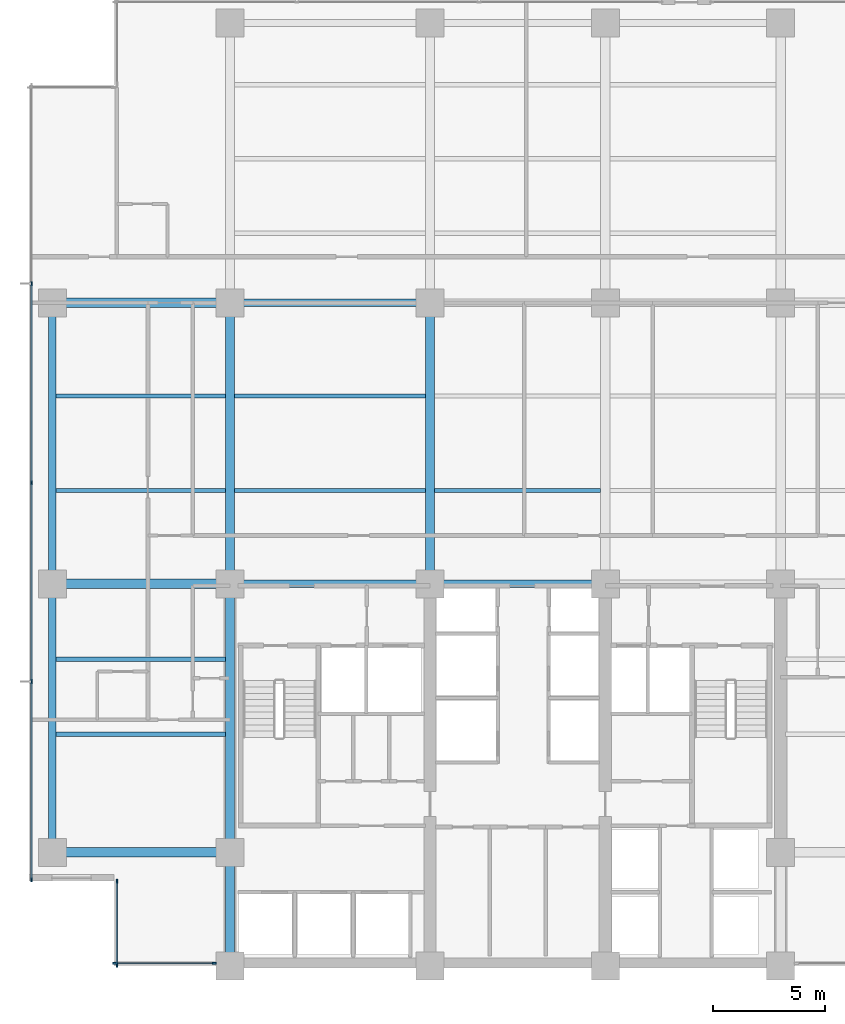
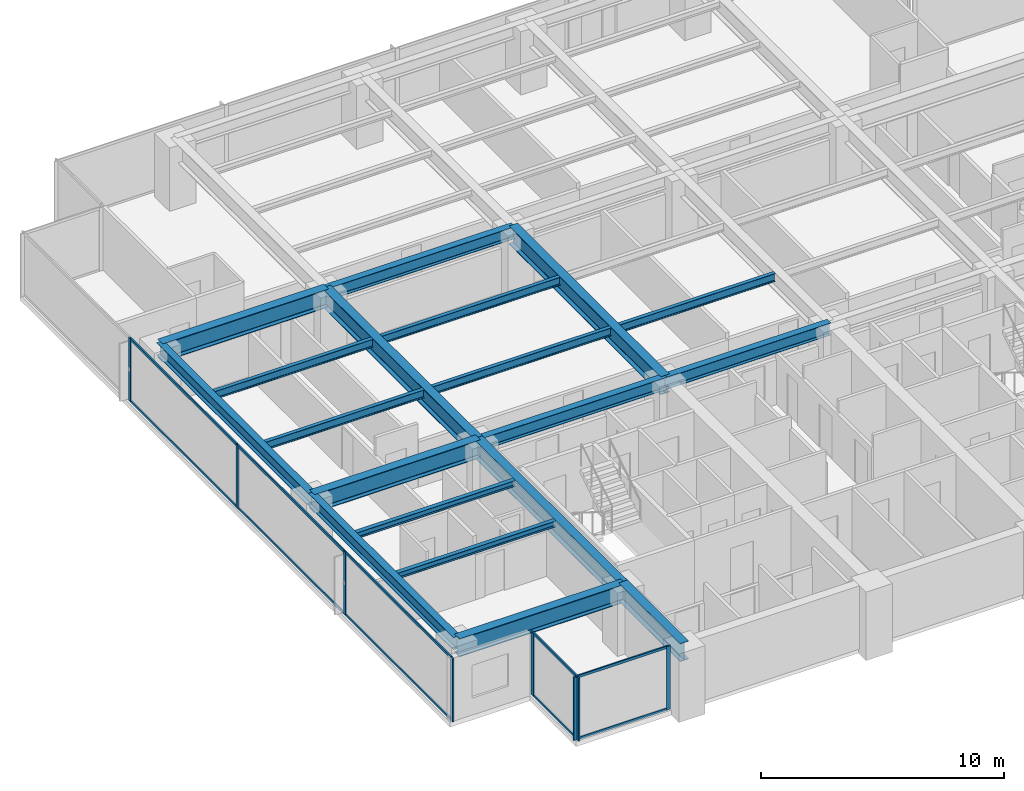
# One storey, part 2 of 16: 19 beams, 18 members, 3 elements without a shape of their own.
"""IFC4 building model written with IfcOpenShell, lengths in metres."""

from ifc_helpers import new_model, si_unit, direction, frame, origin, origin_2d, place, context, subcontext, project, spatial, rectangle, i_section, extrude, material, layer, layer_set, material_profile, profile_set, type_object, element, aggregate, save


model = new_model("IFC4")

# Units and contexts
model_context = context("Model", 3, precision=1e-05, world=origin(), true_north=direction((0.0, 1.0)))
body_context = subcontext(model_context, "Body", "Model", "MODEL_VIEW")
ifc_project = project(units=[si_unit("LENGTHUNIT", "METRE"), si_unit("AREAUNIT", "SQUARE_METRE"), si_unit("VOLUMEUNIT", "CUBIC_METRE"), si_unit("PLANEANGLEUNIT", "RADIAN"), si_unit("MASSUNIT", "GRAM", prefix="KILO")], contexts=[model_context])

# Site, building, storey
site_placement = place(None, origin())
site = spatial("IfcSite", under=ifc_project, at=site_placement, CompositionType="ELEMENT")
building_placement = place(site_placement, origin())
building = spatial("IfcBuilding", under=site, at=building_placement, Name="Qalmaran Belvedere Hotel", CompositionType="ELEMENT")
storey_placement = place(building_placement, frame((0.0, 0.0, 126.699951171875)))
storey = spatial("IfcBuildingStorey", under=building, at=storey_placement, Name="L32", CompositionType="ELEMENT", Elevation=126.699951171875)

# Beams
ifc_material_1 = material(Name="Steel S355JR", Category="steel")
ifc_material_profile_1 = material_profile(ifc_material_1, i_section(OverallWidth=0.202880859375, OverallDepth=0.302978515625, WebThickness=0.007568359375, FlangeThickness=0.01318359375, FilletRadius=0.012939453125, at=origin_2d()), Name="W310X60")
ifc_profile_set_1 = profile_set([ifc_material_profile_1], Name="Steel S355JR")
beam_type_1 = type_object("IfcBeamType", Name="BM-JST-W310X60", PredefinedType="JOIST", material=ifc_profile_set_1)
for number, where, z_axis, x_axis, name in (
    (1, (12.5615234375, 13.800048828125, 3.028564453125), (1.0, 0.0, 0.0), (0.0, 1.0, 0.0), "L32 West Wing Joist 038"),
    (2, (12.5615234375, 17.14990234375, 3.028564453125), (1.0, 0.0, 0.0), (0.0, 1.0, 0.0), "L32 West Wing Joist 040"),
):
    element("IfcBeam", number, at=place(storey_placement, frame(where, z_axis=z_axis, x_axis=x_axis)), inside=storey, type_object=beam_type_1, Name=name, PredefinedType="JOIST", context=body_context, shape_type="SweptSolid", body=[
        extrude(i_section(OverallWidth=0.202880859375, OverallDepth=0.302978515625, WebThickness=0.007568359375, FlangeThickness=0.01318359375, FilletRadius=0.012939453125, at=origin_2d()), origin(), (0.0, 0.0, 1.0), 7.531494140625),
    ])
ifc_material_profile_2 = material_profile(ifc_material_1, i_section(OverallWidth=0.41796875, OverallDepth=0.912109375, WebThickness=0.019287109375, FlangeThickness=0.031982421875, FilletRadius=0.02392578125, at=origin_2d()), Name="W920X342")
ifc_profile_set_2 = profile_set([ifc_material_profile_2], Name="Steel S355JR")
beam_type_2 = type_object("IfcBeamType", Name="BM-PG2-W920X342", PredefinedType="USERDEFINED", material=ifc_profile_set_2)
for number, where, z_axis, x_axis, name in (
    (3, (20.300048828125, 20.5, 2.72412109375), (0.0, 1.0, 0.0), (-1.0, 0.0, 0.0), "L32 Mid-Plate N-S Girder 14"),
    (4, (29.199951171875, 20.5, 2.72412109375), (0.0, 1.0, 0.0), (-1.0, 0.0, 0.0), "L32 Mid-Plate N-S Girder 16"),
):
    element("IfcBeam", number, at=place(storey_placement, frame(where, z_axis=z_axis, x_axis=x_axis)), inside=storey, type_object=beam_type_2, Name=name, ObjectType="GIRDER", PredefinedType="USERDEFINED", context=body_context, shape_type="SweptSolid", body=[
        extrude(i_section(OverallWidth=0.41796875, OverallDepth=0.912109375, WebThickness=0.019287109375, FlangeThickness=0.031982421875, FilletRadius=0.02392578125, at=origin_2d()), origin(), (0.0, 0.0, 1.0), 12.5),
    ])
for number, where, z_axis, x_axis, name in (
    (5, (12.39990234375, 8.550048828125, 2.72412109375), (1.0, 0.0, 0.0), (0.0, 1.0, 0.0), "L32 West Wing Girder 22"),
    (6, (12.39990234375, 20.5, 2.72412109375), (1.0, 0.0, 0.0), (0.0, 1.0, 0.0), "L32 West Wing Girder 23"),
    (7, (12.39990234375, 33.0, 2.72412109375), (1.0, 0.0, 0.0), (0.0, 1.0, 0.0), "L32 West Wing Girder 24"),
):
    element("IfcBeam", number, at=place(storey_placement, frame(where, z_axis=z_axis, x_axis=x_axis)), inside=storey, type_object=beam_type_2, Name=name, ObjectType="GIRDER", PredefinedType="USERDEFINED", context=body_context, shape_type="SweptSolid", body=[
        extrude(i_section(OverallWidth=0.41796875, OverallDepth=0.912109375, WebThickness=0.019287109375, FlangeThickness=0.031982421875, FilletRadius=0.02392578125, at=origin_2d()), origin(), (0.0, 0.0, 1.0), 7.900146484375),
    ])
beam_1_placement = place(storey_placement, frame((20.300048828125, 3.5, 2.72412109375), z_axis=(0.0, 1.0, 0.0), x_axis=(-1.0, 0.0, 0.0)))
element("IfcBeam", 8, at=beam_1_placement, inside=storey, type_object=beam_type_2, Name="L32 West Core Edge Girder A", ObjectType="GIRDER", PredefinedType="USERDEFINED", context=body_context, shape_type="SweptSolid", body=[
    extrude(i_section(OverallWidth=0.41796875, OverallDepth=0.912109375, WebThickness=0.019287109375, FlangeThickness=0.031982421875, FilletRadius=0.02392578125, at=origin_2d()), origin(), (0.0, 0.0, 1.0), 5.050048828125),
])
beam_2_placement = place(storey_placement, frame((20.300048828125, 8.550048828125, 2.72412109375), z_axis=(0.0, 1.0, 0.0), x_axis=(-1.0, 0.0, 0.0)))
element("IfcBeam", 9, at=beam_2_placement, inside=storey, type_object=beam_type_2, Name="L32 West Core Edge Girder B", ObjectType="GIRDER", PredefinedType="USERDEFINED", context=body_context, shape_type="SweptSolid", body=[
    extrude(i_section(OverallWidth=0.41796875, OverallDepth=0.912109375, WebThickness=0.019287109375, FlangeThickness=0.031982421875, FilletRadius=0.02392578125, at=origin_2d()), origin(), (0.0, 0.0, 1.0), 11.949951171875),
])
ifc_material_profile_3 = material_profile(ifc_material_1, i_section(OverallWidth=0.177978515625, OverallDepth=0.406982421875, WebThickness=0.0078125, FlangeThickness=0.0126953125, FilletRadius=0.014892578125, at=origin_2d()), Name="W410X60")
ifc_profile_set_3 = profile_set([ifc_material_profile_3], Name="Steel S355JR")
beam_type_3 = type_object("IfcBeamType", Name="BM-SB2-W410X60", PredefinedType="BEAM", material=ifc_profile_set_3)
beam_3_placement = place(storey_placement, frame((12.5615234375, 24.64990234375, 2.9765625), z_axis=(1.0, 0.0, 0.0), x_axis=(0.0, 1.0, 0.0)))
element("IfcBeam", 10, at=beam_3_placement, inside=storey, type_object=beam_type_3, Name="L32 West Secondary Beam 028", PredefinedType="BEAM", context=body_context, shape_type="SweptSolid", body=[
    extrude(i_section(OverallWidth=0.177978515625, OverallDepth=0.406982421875, WebThickness=0.0078125, FlangeThickness=0.0126953125, FilletRadius=0.014892578125, at=origin_2d()), origin(), (0.0, 0.0, 1.0), 7.531494140625),
])
beam_4_placement = place(storey_placement, frame((20.507080078125, 24.64990234375, 2.9765625), z_axis=(1.0, 0.0, 0.0), x_axis=(0.0, 1.0, 0.0)))
element("IfcBeam", 11, at=beam_4_placement, inside=storey, type_object=beam_type_3, Name="L32 Secondary Floor Beam 029", PredefinedType="BEAM", context=body_context, shape_type="SweptSolid", body=[
    extrude(i_section(OverallWidth=0.177978515625, OverallDepth=0.406982421875, WebThickness=0.0078125, FlangeThickness=0.0126953125, FilletRadius=0.014892578125, at=origin_2d()), origin(), (0.0, 0.0, 1.0), 8.48583984375),
])
beam_5_placement = place(storey_placement, frame((29.406982421875, 24.64990234375, 2.9765625), z_axis=(1.0, 0.0, 0.0), x_axis=(0.0, 1.0, 0.0)))
element("IfcBeam", 12, at=beam_5_placement, inside=storey, type_object=beam_type_3, Name="L32 Secondary Floor Beam 030", PredefinedType="BEAM", context=body_context, shape_type="SweptSolid", body=[
    extrude(i_section(OverallWidth=0.177978515625, OverallDepth=0.406982421875, WebThickness=0.0078125, FlangeThickness=0.0126953125, FilletRadius=0.014892578125, at=origin_2d()), origin(), (0.0, 0.0, 1.0), 7.385986328125),
])
beam_6_placement = place(storey_placement, frame((12.5615234375, 28.85009765625, 2.9765625), z_axis=(1.0, 0.0, 0.0), x_axis=(0.0, 1.0, 0.0)))
element("IfcBeam", 13, at=beam_6_placement, inside=storey, type_object=beam_type_3, Name="L32 West Secondary Beam 033", PredefinedType="BEAM", context=body_context, shape_type="SweptSolid", body=[
    extrude(i_section(OverallWidth=0.177978515625, OverallDepth=0.406982421875, WebThickness=0.0078125, FlangeThickness=0.0126953125, FilletRadius=0.014892578125, at=origin_2d()), origin(), (0.0, 0.0, 1.0), 7.531494140625),
])
beam_7_placement = place(storey_placement, frame((20.507080078125, 28.85009765625, 2.9765625), z_axis=(1.0, 0.0, 0.0), x_axis=(0.0, 1.0, 0.0)))
element("IfcBeam", 14, at=beam_7_placement, inside=storey, type_object=beam_type_3, Name="L32 Secondary Floor Beam 034", PredefinedType="BEAM", context=body_context, shape_type="SweptSolid", body=[
    extrude(i_section(OverallWidth=0.177978515625, OverallDepth=0.406982421875, WebThickness=0.0078125, FlangeThickness=0.0126953125, FilletRadius=0.014892578125, at=origin_2d()), origin(), (0.0, 0.0, 1.0), 8.48583984375),
])
ifc_material_profile_4 = material_profile(ifc_material_1, i_section(OverallWidth=0.326904296875, OverallDepth=0.6220703125, WebThickness=0.015380859375, FlangeThickness=0.0244140625, FilletRadius=0.02001953125, at=origin_2d()), Name="W610X195")
ifc_profile_set_4 = profile_set([ifc_material_profile_4], Name="Steel S355JR")
beam_type_4 = type_object("IfcBeamType", Name="BM-SP1-W610X195", PredefinedType="SPANDREL", material=ifc_profile_set_4)
beam_8_placement = place(storey_placement, frame((12.39990234375, 8.550048828125, 2.869140625), z_axis=(0.0, 1.0, 0.0), x_axis=(-1.0, 0.0, 0.0)))
element("IfcBeam", 15, at=beam_8_placement, inside=storey, type_object=beam_type_4, Name="L32 Perimeter Spandrel 01", PredefinedType="SPANDREL", context=body_context, shape_type="SweptSolid", body=[
    extrude(i_section(OverallWidth=0.326904296875, OverallDepth=0.6220703125, WebThickness=0.015380859375, FlangeThickness=0.0244140625, FilletRadius=0.02001953125, at=origin_2d()), origin(), (0.0, 0.0, 1.0), 11.949951171875),
])
beam_9_placement = place(storey_placement, frame((12.39990234375, 20.5, 2.869140625), z_axis=(0.0, 1.0, 0.0), x_axis=(-1.0, 0.0, 0.0)))
element("IfcBeam", 16, at=beam_9_placement, inside=storey, type_object=beam_type_4, Name="L32 Perimeter Spandrel 02", PredefinedType="SPANDREL", context=body_context, shape_type="SweptSolid", body=[
    extrude(i_section(OverallWidth=0.326904296875, OverallDepth=0.6220703125, WebThickness=0.015380859375, FlangeThickness=0.0244140625, FilletRadius=0.02001953125, at=origin_2d()), origin(), (0.0, 0.0, 1.0), 12.5),
])
ifc_material_profile_5 = material_profile(ifc_material_1, i_section(OverallWidth=0.323974609375, OverallDepth=0.611083984375, WebThickness=0.0126953125, FlangeThickness=0.01904296875, FilletRadius=0.02001953125, at=origin_2d()), Name="W610X155")
ifc_profile_set_5 = profile_set([ifc_material_profile_5], Name="Steel S355JR")
beam_type_5 = type_object("IfcBeamType", Name="BM-Z2-W610X155", PredefinedType="USERDEFINED", material=ifc_profile_set_5)
beam_10_placement = place(storey_placement, frame((20.300048828125, 20.5, 2.87451171875), z_axis=(1.0, 0.0, 0.0), x_axis=(0.0, 1.0, 0.0)))
element("IfcBeam", 17, at=beam_10_placement, inside=storey, type_object=beam_type_5, Name="L32 Interior E-W Girder 08", ObjectType="GIRDER", PredefinedType="USERDEFINED", context=body_context, shape_type="SweptSolid", body=[
    extrude(i_section(OverallWidth=0.323974609375, OverallDepth=0.611083984375, WebThickness=0.0126953125, FlangeThickness=0.01904296875, FilletRadius=0.02001953125, at=origin_2d()), origin(), (0.0, 0.0, 1.0), 8.89990234375),
])
beam_11_placement = place(storey_placement, frame((29.199951171875, 20.5, 2.87451171875), z_axis=(1.0, 0.0, 0.0), x_axis=(0.0, 1.0, 0.0)))
element("IfcBeam", 18, at=beam_11_placement, inside=storey, type_object=beam_type_5, Name="L32 Interior E-W Girder 09", ObjectType="GIRDER", PredefinedType="USERDEFINED", context=body_context, shape_type="SweptSolid", body=[
    extrude(i_section(OverallWidth=0.323974609375, OverallDepth=0.611083984375, WebThickness=0.0126953125, FlangeThickness=0.01904296875, FilletRadius=0.02001953125, at=origin_2d()), origin(), (0.0, 0.0, 1.0), 7.800048828125),
])
beam_12_placement = place(storey_placement, frame((20.300048828125, 33.0, 2.87451171875), z_axis=(1.0, 0.0, 0.0), x_axis=(0.0, 1.0, 0.0)))
element("IfcBeam", 19, at=beam_12_placement, inside=storey, type_object=beam_type_5, Name="L32 Interior E-W Girder 11", ObjectType="GIRDER", PredefinedType="USERDEFINED", context=body_context, shape_type="SweptSolid", body=[
    extrude(i_section(OverallWidth=0.323974609375, OverallDepth=0.611083984375, WebThickness=0.0126953125, FlangeThickness=0.01904296875, FilletRadius=0.02001953125, at=origin_2d()), origin(), (0.0, 0.0, 1.0), 8.89990234375),
])

# Curtain wall, members
ifc_material_2 = material(Name="Anodised Bronze Aluminium", Category="aluminium")
ifc_layer = layer(ifc_material_2, 0.199951171875, Name="Anodised Bronze Aluminium")
ifc_layer_set = layer_set([ifc_layer], Name="Anodised Bronze Aluminium")
curtain_wall_type = type_object("IfcCurtainWallType", Name="CW3-TOWER-LOWMID", PredefinedType="NOTDEFINED", material=ifc_layer_set)
curtain_wall_1_placement = place(storey_placement, origin())
curtain_wall_1 = element("IfcCurtainWall", 20, at=curtain_wall_1_placement, inside=storey, type_object=curtain_wall_type, Name="L32 Curtain Wall CW3", PredefinedType="NOTDEFINED")
ifc_material_profile_6 = material_profile(ifc_material_2, rectangle(XDim=0.070068359375, YDim=0.18994140625, at=origin_2d()), Name="CWM70X190")
ifc_profile_set_6 = profile_set([ifc_material_profile_6], Name="Anodised Bronze Aluminium")
member_type_1 = type_object("IfcMemberType", Name="CWM-70X190", PredefinedType="MULLION", material=ifc_profile_set_6)
member_1_placement = place(storey_placement, frame((15.18505859375, 3.6201171875, 0.0), z_axis=(0.0, 0.0, 1.0), x_axis=(0.0, 1.0, 0.0)))
member_1 = element("IfcMember", 21, at=member_1_placement, type_object=member_type_1, Name="CW3 mullion 1", PredefinedType="MULLION", context=body_context, shape_type="SweptSolid", body=[
    extrude(rectangle(XDim=0.070068359375, YDim=0.18994140625, at=origin_2d()), origin(), (0.0, 0.0, 1.0), 3.179931640625),
])
member_2_placement = place(storey_placement, frame((19.60009765625, 3.6201171875, 0.0), z_axis=(0.0, 0.0, 1.0), x_axis=(0.0, 1.0, 0.0)))
member_2 = element("IfcMember", 22, at=member_2_placement, type_object=member_type_1, Name="CW3 mullion 2", PredefinedType="MULLION", context=body_context, shape_type="SweptSolid", body=[
    extrude(rectangle(XDim=0.070068359375, YDim=0.18994140625, at=origin_2d()), origin(), (0.0, 0.0, 1.0), 3.179931640625),
])

curtain_wall_2_placement = place(storey_placement, origin())
curtain_wall_2 = element("IfcCurtainWall", 23, at=curtain_wall_2_placement, inside=storey, type_object=curtain_wall_type, Name="L32 Curtain Wall CW3", PredefinedType="NOTDEFINED")
member_3_placement = place(storey_placement, frame((11.469970703125, 33.85009765625, 0.0), z_axis=(0.0, 0.0, 1.0), x_axis=(1.0, 0.0, 0.0)))
member_3 = element("IfcMember", 24, at=member_3_placement, type_object=member_type_1, Name="CW3 mullion 2", PredefinedType="MULLION", context=body_context, shape_type="SweptSolid", body=[
    extrude(rectangle(XDim=0.070068359375, YDim=0.18994140625, at=origin_2d()), origin(), (0.0, 0.0, 1.0), 3.179931640625),
])
member_4_placement = place(storey_placement, frame((11.469970703125, 25.0, 0.0), z_axis=(0.0, 0.0, 1.0), x_axis=(1.0, 0.0, 0.0)))
member_4 = element("IfcMember", 25, at=member_4_placement, type_object=member_type_1, Name="CW3 mullion 3", PredefinedType="MULLION", context=body_context, shape_type="SweptSolid", body=[
    extrude(rectangle(XDim=0.070068359375, YDim=0.18994140625, at=origin_2d()), origin(), (0.0, 0.0, 1.0), 3.179931640625),
])
member_5_placement = place(storey_placement, frame((11.469970703125, 16.14990234375, 0.0), z_axis=(0.0, 0.0, 1.0), x_axis=(1.0, 0.0, 0.0)))
member_5 = element("IfcMember", 26, at=member_5_placement, type_object=member_type_1, Name="CW3 mullion 4", PredefinedType="MULLION", context=body_context, shape_type="SweptSolid", body=[
    extrude(rectangle(XDim=0.070068359375, YDim=0.18994140625, at=origin_2d()), origin(), (0.0, 0.0, 1.0), 3.179931640625),
])
member_6_placement = place(storey_placement, frame((11.469970703125, 7.3349609375, 0.0), z_axis=(0.0, 0.0, 1.0), x_axis=(1.0, 0.0, 0.0)))
member_6 = element("IfcMember", 27, at=member_6_placement, type_object=member_type_1, Name="CW3 mullion 5", PredefinedType="MULLION", context=body_context, shape_type="SweptSolid", body=[
    extrude(rectangle(XDim=0.070068359375, YDim=0.18994140625, at=origin_2d()), origin(), (0.0, 0.0, 1.0), 3.179931640625),
])

curtain_wall_3_placement = place(storey_placement, origin())
curtain_wall_3 = element("IfcCurtainWall", 28, at=curtain_wall_3_placement, inside=storey, type_object=curtain_wall_type, Name="L32 Curtain Wall CW3", PredefinedType="NOTDEFINED")
member_7_placement = place(storey_placement, frame((15.27001953125, 7.264892578125, 0.0), z_axis=(0.0, 0.0, 1.0), x_axis=(1.0, 0.0, 0.0)))
member_7 = element("IfcMember", 29, at=member_7_placement, type_object=member_type_1, Name="CW3 mullion 1", PredefinedType="MULLION", context=body_context, shape_type="SweptSolid", body=[
    extrude(rectangle(XDim=0.070068359375, YDim=0.18994140625, at=origin_2d()), origin(), (0.0, 0.0, 1.0), 3.179931640625),
])
member_8_placement = place(storey_placement, frame((15.27001953125, 3.534912109375, 0.0), z_axis=(0.0, 0.0, 1.0), x_axis=(1.0, 0.0, 0.0)))
member_8 = element("IfcMember", 30, at=member_8_placement, type_object=member_type_1, Name="CW3 mullion 2", PredefinedType="MULLION", context=body_context, shape_type="SweptSolid", body=[
    extrude(rectangle(XDim=0.070068359375, YDim=0.18994140625, at=origin_2d()), origin(), (0.0, 0.0, 1.0), 3.179931640625),
])

# Member
ifc_material_profile_7 = material_profile(ifc_material_2, rectangle(XDim=0.06494140625, YDim=0.1298828125, at=origin_2d()), Name="CWT65X130")
ifc_profile_set_7 = profile_set([ifc_material_profile_7], Name="Anodised Bronze Aluminium")
member_type_2 = type_object("IfcMemberType", Name="CWT-65X130", PredefinedType="USERDEFINED", material=ifc_profile_set_7)
member_9_placement = place(storey_placement, frame((15.219970703125, 3.6201171875, 0.032470703125), z_axis=(1.0, 0.0, 0.0), x_axis=(0.0, 1.0, 0.0)))
member_9 = element("IfcMember", 31, at=member_9_placement, type_object=member_type_2, Name="CW3 transom 1.1", ObjectType="TRANSOM", PredefinedType="USERDEFINED", context=body_context, shape_type="SweptSolid", body=[
    extrude(rectangle(XDim=0.06494140625, YDim=0.1298828125, at=origin_2d()), origin(), (0.0, 0.0, 1.0), 4.344970703125),
])

member_10_placement = place(storey_placement, frame((15.219970703125, 3.6201171875, 3.1474609375), z_axis=(1.0, 0.0, 0.0), x_axis=(0.0, 1.0, 0.0)))
member_10 = element("IfcMember", 32, at=member_10_placement, type_object=member_type_2, Name="CW3 transom 1.2", ObjectType="TRANSOM", PredefinedType="USERDEFINED", context=body_context, shape_type="SweptSolid", body=[
    extrude(rectangle(XDim=0.06494140625, YDim=0.1298828125, at=origin_2d()), origin(), (0.0, 0.0, 1.0), 4.344970703125),
])

aggregate(curtain_wall_1, [member_1, member_2, member_9, member_10])

member_11_placement = place(storey_placement, frame((11.469970703125, 33.81494140625, 0.032470703125), z_axis=(0.0, -1.0, 0.0), x_axis=(1.0, 0.0, 0.0)))
member_11 = element("IfcMember", 33, at=member_11_placement, type_object=member_type_2, Name="CW3 transom 2.1", ObjectType="TRANSOM", PredefinedType="USERDEFINED", context=body_context, shape_type="SweptSolid", body=[
    extrude(rectangle(XDim=0.06494140625, YDim=0.1298828125, at=origin_2d()), origin(), (0.0, 0.0, 1.0), 8.780029296875),
])

member_12_placement = place(storey_placement, frame((11.469970703125, 33.81494140625, 3.1474609375), z_axis=(0.0, -1.0, 0.0), x_axis=(1.0, 0.0, 0.0)))
member_12 = element("IfcMember", 34, at=member_12_placement, type_object=member_type_2, Name="CW3 transom 2.2", ObjectType="TRANSOM", PredefinedType="USERDEFINED", context=body_context, shape_type="SweptSolid", body=[
    extrude(rectangle(XDim=0.06494140625, YDim=0.1298828125, at=origin_2d()), origin(), (0.0, 0.0, 1.0), 8.780029296875),
])

member_13_placement = place(storey_placement, frame((11.469970703125, 24.965087890625, 0.032470703125), z_axis=(0.0, -1.0, 0.0), x_axis=(1.0, 0.0, 0.0)))
member_13 = element("IfcMember", 35, at=member_13_placement, type_object=member_type_2, Name="CW3 transom 3.1", ObjectType="TRANSOM", PredefinedType="USERDEFINED", context=body_context, shape_type="SweptSolid", body=[
    extrude(rectangle(XDim=0.06494140625, YDim=0.1298828125, at=origin_2d()), origin(), (0.0, 0.0, 1.0), 8.780029296875),
])

member_14_placement = place(storey_placement, frame((11.469970703125, 24.965087890625, 3.1474609375), z_axis=(0.0, -1.0, 0.0), x_axis=(1.0, 0.0, 0.0)))
member_14 = element("IfcMember", 36, at=member_14_placement, type_object=member_type_2, Name="CW3 transom 3.2", ObjectType="TRANSOM", PredefinedType="USERDEFINED", context=body_context, shape_type="SweptSolid", body=[
    extrude(rectangle(XDim=0.06494140625, YDim=0.1298828125, at=origin_2d()), origin(), (0.0, 0.0, 1.0), 8.780029296875),
])

member_15_placement = place(storey_placement, frame((11.469970703125, 16.114990234375, 0.032470703125), z_axis=(0.0, -1.0, 0.0), x_axis=(1.0, 0.0, 0.0)))
member_15 = element("IfcMember", 37, at=member_15_placement, type_object=member_type_2, Name="CW3 transom 4.1", ObjectType="TRANSOM", PredefinedType="USERDEFINED", context=body_context, shape_type="SweptSolid", body=[
    extrude(rectangle(XDim=0.06494140625, YDim=0.1298828125, at=origin_2d()), origin(), (0.0, 0.0, 1.0), 8.744873046875),
])

member_16_placement = place(storey_placement, frame((11.469970703125, 16.114990234375, 3.1474609375), z_axis=(0.0, -1.0, 0.0), x_axis=(1.0, 0.0, 0.0)))
member_16 = element("IfcMember", 38, at=member_16_placement, type_object=member_type_2, Name="CW3 transom 4.2", ObjectType="TRANSOM", PredefinedType="USERDEFINED", context=body_context, shape_type="SweptSolid", body=[
    extrude(rectangle(XDim=0.06494140625, YDim=0.1298828125, at=origin_2d()), origin(), (0.0, 0.0, 1.0), 8.744873046875),
])

aggregate(curtain_wall_2, [member_3, member_4, member_5, member_6, member_11, member_12, member_13, member_14, member_15, member_16])

member_17_placement = place(storey_placement, frame((15.27001953125, 7.22998046875, 0.032470703125), z_axis=(0.0, -1.0, 0.0), x_axis=(1.0, 0.0, 0.0)))
member_17 = element("IfcMember", 39, at=member_17_placement, type_object=member_type_2, Name="CW3 transom 1.1", ObjectType="TRANSOM", PredefinedType="USERDEFINED", context=body_context, shape_type="SweptSolid", body=[
    extrude(rectangle(XDim=0.06494140625, YDim=0.1298828125, at=origin_2d()), origin(), (0.0, 0.0, 1.0), 3.659912109375),
])

member_18_placement = place(storey_placement, frame((15.27001953125, 7.22998046875, 3.1474609375), z_axis=(0.0, -1.0, 0.0), x_axis=(1.0, 0.0, 0.0)))
member_18 = element("IfcMember", 40, at=member_18_placement, type_object=member_type_2, Name="CW3 transom 1.2", ObjectType="TRANSOM", PredefinedType="USERDEFINED", context=body_context, shape_type="SweptSolid", body=[
    extrude(rectangle(XDim=0.06494140625, YDim=0.1298828125, at=origin_2d()), origin(), (0.0, 0.0, 1.0), 3.659912109375),
])

aggregate(curtain_wall_3, [member_7, member_8, member_17, member_18])

save(model, "model.ifc")
